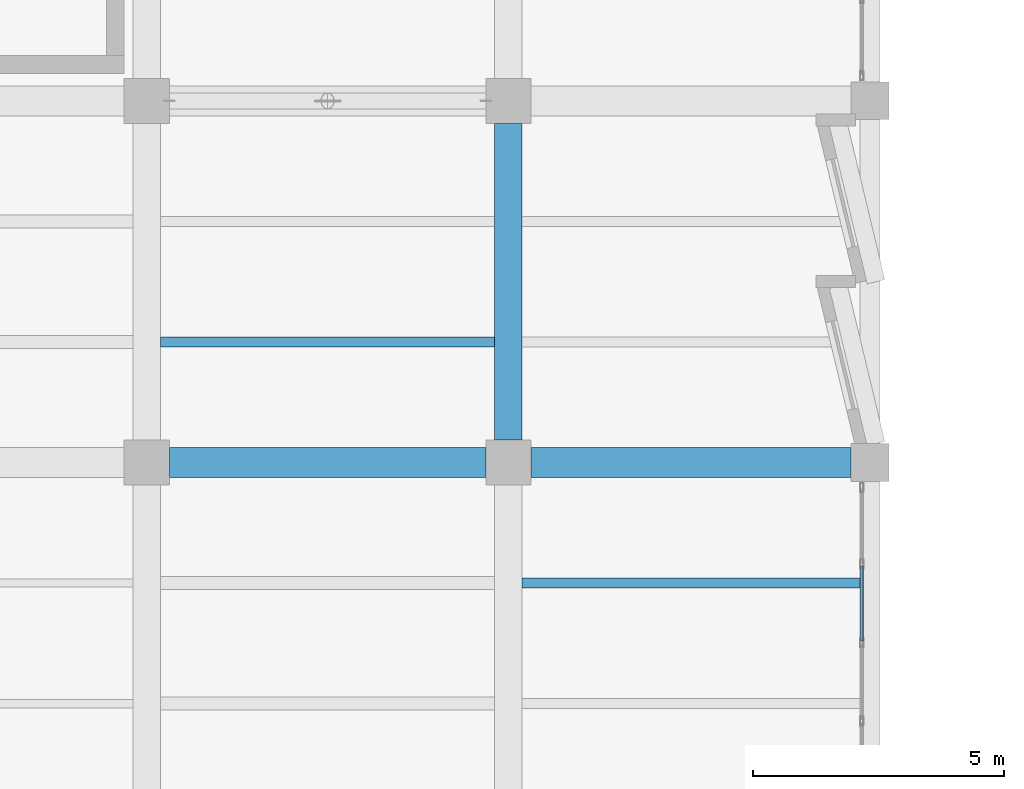
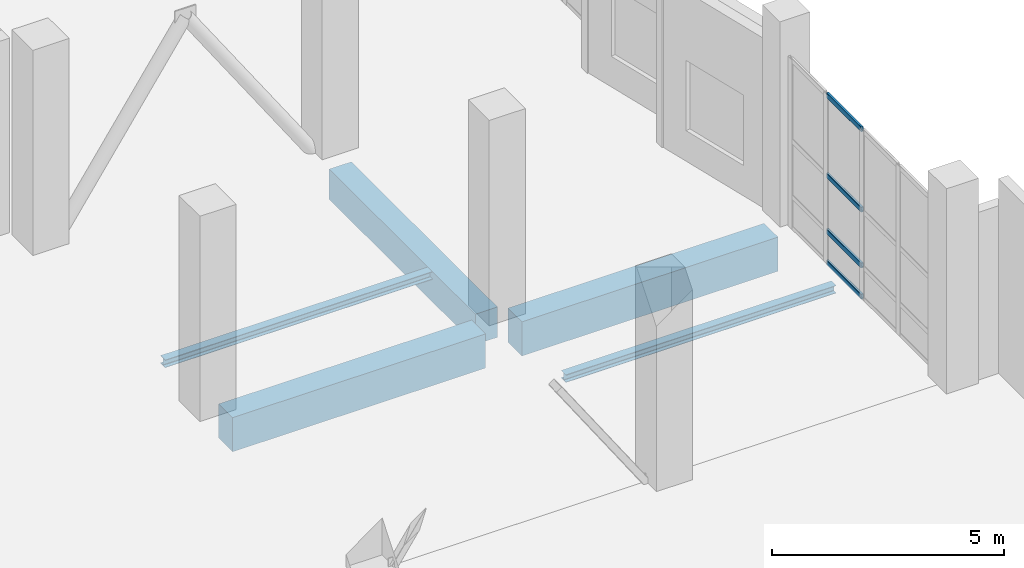
# One storey, part 15 of 137: 5 beams, 4 members, 1 element without a shape of its own.
"""IFC4 building model written with IfcOpenShell, lengths in metres."""

import ifcopenshell
import ifcopenshell.guid

model = None  # the IFC model being written
_history = None  # IfcOwnerHistory: only IFC2X3 demands one
_inside = {}  # id of a spatial element -> (the spatial element, [elements in it])
_under = {}  # id of a project, library or spatial element -> (it, [spatial elements below it])
_declared = {}  # id of a project -> (the project, [libraries it declares])
_typed = {}  # id of a type object -> (the type object, [elements of that type])
_made_of = {}  # id of a material, layer set ... -> (it, [elements and type objects made of it])


def new_model(schema):
    """Start an empty IFC model of exactly this schema.

    Asked for "IFC4X3", IfcOpenShell would pick the latest addendum, in which some entities
    have other attributes; the version numbers below select the first issue.
    IFC2X3 requires an IfcOwnerHistory on every rooted entity: one is made here for all.
    """
    global model, _history
    if schema == "IFC4X3":
        model = ifcopenshell.file(schema_version=(4, 3, 0, 0))
    else:
        model = ifcopenshell.file(schema=schema)
    _inside.clear()
    _under.clear()
    _declared.clear()
    _typed.clear()
    _made_of.clear()
    _history = None
    if model.schema == "IFC2X3":
        org = make("IfcOrganization", Name="unknown")
        user = make(
            "IfcPersonAndOrganization",
            ThePerson=make("IfcPerson", FamilyName="unknown"),
            TheOrganization=org,
        )
        app = make(
            "IfcApplication",
            ApplicationDeveloper=org,
            Version="unknown",
            ApplicationFullName="unknown",
            ApplicationIdentifier="unknown",
        )
        _history = make(
            "IfcOwnerHistory",
            OwningUser=user,
            OwningApplication=app,
            ChangeAction="ADDED",
            CreationDate=0,
        )
    return model


def make(cls, **values):
    """One entity of the class cls with the attributes given. An attribute that is None is left unset."""
    return model.create_entity(
        cls, **{name: value for name, value in values.items() if value is not None}
    )


def rooted(cls, **values):
    """An entity with a GlobalId (a new one), such as an element, a storey or a relation."""
    return make(cls, GlobalId=ifcopenshell.guid.new(), OwnerHistory=_history, **values)


def si_unit(unit_type, name, prefix=None):
    """IfcSIUnit, for example si_unit("LENGTHUNIT", "METRE", prefix="MILLI")."""
    return make("IfcSIUnit", UnitType=unit_type, Prefix=prefix, Name=name)


def assignment(units):
    """IfcUnitAssignment: the units of a project."""
    return None if units is None else make("IfcUnitAssignment", Units=units)


def point(xyz):
    """IfcCartesianPoint."""
    return None if xyz is None else make("IfcCartesianPoint", Coordinates=xyz)


def direction(xyz):
    """IfcDirection."""
    return None if xyz is None else make("IfcDirection", DirectionRatios=xyz)


def frame(location, z_axis=None, x_axis=None):
    """IfcAxis2Placement3D, a coordinate frame: its origin and axes. An axis left out is left unset."""
    return make(
        "IfcAxis2Placement3D",
        Location=point(location),
        Axis=direction(z_axis),
        RefDirection=direction(x_axis),
    )


def frame_2d(location, x_axis=None):
    """IfcAxis2Placement2D, a coordinate frame in the plane: its origin and x axis."""
    return make(
        "IfcAxis2Placement2D", Location=point(location), RefDirection=direction(x_axis)
    )


def origin():
    """The frame at (0, 0, 0) with its axes left unset."""
    return frame((0.0, 0.0, 0.0))


def origin_2d():
    """The frame at (0, 0) in the plane with its x axis left unset."""
    return frame_2d((0.0, 0.0))


def place(relative_to, where):
    """IfcLocalPlacement: puts the frame where relative to a parent placement (None: the world)."""
    return make(
        "IfcLocalPlacement", PlacementRelTo=relative_to, RelativePlacement=where
    )


def context(
    kind, dimensions, precision=None, world=None, true_north=None, identifier=None
):
    """IfcGeometricRepresentationContext, for example the 3D "Model" context."""
    return make(
        "IfcGeometricRepresentationContext",
        ContextIdentifier=identifier,
        ContextType=kind,
        CoordinateSpaceDimension=dimensions,
        Precision=precision,
        WorldCoordinateSystem=world,
        TrueNorth=true_north,
    )


def subcontext(parent, identifier, kind, view, scale=None):
    """IfcGeometricRepresentationSubContext, for example "Body" below "Model"."""
    return make(
        "IfcGeometricRepresentationSubContext",
        ContextIdentifier=identifier,
        ContextType=kind,
        ParentContext=parent,
        TargetScale=scale,
        TargetView=view,
    )


def project(units=None, contexts=None):
    """IfcProject with its units and contexts."""
    return rooted(
        "IfcProject",
        Name="project",
        RepresentationContexts=contexts,
        UnitsInContext=assignment(units),
    )


def spatial(cls, under=None, at=None, **own):
    """A site, building, storey or space (cls), placed at a placement, below another one or the project."""
    s = rooted(cls, ObjectPlacement=at, **own)
    if under is not None:
        _under.setdefault(under.id(), (under, []))[1].append(s)
    return s


def profile(cls, at=None, kind="AREA", **sizes):
    """A parametric profile (cls). Its sizes go by their IFC names, for example OverallWidth=200.0."""
    return make(cls, ProfileType=kind, Position=at, **sizes)


def rectangle(**sizes):
    """IfcRectangleProfileDef."""
    return profile("IfcRectangleProfileDef", **sizes)


def hollow_rectangle(**sizes):
    """IfcRectangleHollowProfileDef."""
    return profile("IfcRectangleHollowProfileDef", **sizes)


def i_section(**sizes):
    """IfcIShapeProfileDef."""
    return profile("IfcIShapeProfileDef", **sizes)


def extrude(swept, where, along, depth):
    """IfcExtrudedAreaSolid: the profile swept, set in the frame where, extruded along a direction by depth."""
    return make(
        "IfcExtrudedAreaSolid",
        SweptArea=swept,
        Position=where,
        ExtrudedDirection=direction(along),
        Depth=depth,
    )


def shape(context_of_items, identifier, shape_type, items):
    """IfcShapeRepresentation: the items that make up one representation, for example the "Body"."""
    return make(
        "IfcShapeRepresentation",
        ContextOfItems=context_of_items,
        RepresentationIdentifier=identifier,
        RepresentationType=shape_type,
        Items=items,
    )


def material(Name=None, Category=None):
    """IfcMaterial."""
    return make("IfcMaterial", Name=Name, Category=Category)


def material_profile(
    of_material, cross_section, Name=None, Category=None, Priority=None
):
    """IfcMaterialProfile: a cross section and its material."""
    return make(
        "IfcMaterialProfile",
        Name=Name,
        Material=of_material,
        Profile=cross_section,
        Priority=Priority,
        Category=Category,
    )


def profile_set(profiles, Name=None, composite=None):
    """IfcMaterialProfileSet."""
    return make(
        "IfcMaterialProfileSet",
        Name=Name,
        MaterialProfiles=profiles,
        CompositeProfile=composite,
    )


def made_of(thing, what):
    """Note that an element or type object is made of a material, layer set ...; save() writes the relation."""
    if what is not None:
        _made_of.setdefault(what.id(), (what, []))[1].append(thing)
    return thing


def type_object(cls, material=None, **own):
    """A type object (cls), such as IfcWallType, which elements share."""
    return made_of(rooted(cls, **own), material)


def element(
    cls,
    number,
    at=None,
    inside=None,
    cuts=None,
    type_object=None,
    material=None,
    context=None,
    identifier="Body",
    shape_type=None,
    held_by="IfcProductDefinitionShape",
    body=None,
    shapes=None,
    **own,
):
    """One element of the class cls, such as IfcWall. Its Tag is "e" and its number.

    at: its placement. inside: the storey or other place that contains it. cuts: it is an
    opening in that element (IfcRelVoidsElement). A single representation is given by context,
    identifier, shape_type and body (its items); several are given by shapes. held_by: the class
    of the entity that holds the representations. save() writes the other relations.
    """
    e = rooted(cls, Tag="e%d" % number, ObjectPlacement=at, **own)
    if body is not None:
        shapes = [shape(context, identifier, shape_type, body)]
    if shapes is not None:
        e.Representation = make(held_by, Representations=shapes)
    if inside is not None:
        _inside.setdefault(inside.id(), (inside, []))[1].append(e)
    if cuts is not None:
        rooted(
            "IfcRelVoidsElement", RelatingBuildingElement=cuts, RelatedOpeningElement=e
        )
    if type_object is not None:
        _typed.setdefault(type_object.id(), (type_object, []))[1].append(e)
    return made_of(e, material)


def aggregate(whole, parts):
    """IfcRelAggregates: a whole, such as a stair, and the parts it consists of."""
    return rooted("IfcRelAggregates", RelatingObject=whole, RelatedObjects=parts)


def save(model, path):
    """Write the relations noted so far, then the file.

    IfcRelAggregates (storeys below a building ...), IfcRelContainedInSpatialStructure (elements
    in a storey), IfcRelDefinesByType, IfcRelAssociatesMaterial and IfcRelDeclares: one each for
    every whole, place, type object, material and project.
    """
    for whole, parts in _under.values():
        aggregate(whole, parts)
    for where, things in _inside.values():
        rooted(
            "IfcRelContainedInSpatialStructure",
            RelatedElements=things,
            RelatingStructure=where,
        )
    for kind, things in _typed.values():
        rooted("IfcRelDefinesByType", RelatedObjects=things, RelatingType=kind)
    for what, things in _made_of.values():
        rooted("IfcRelAssociatesMaterial", RelatedObjects=things, RelatingMaterial=what)
    for by, libraries in _declared.values():
        rooted("IfcRelDeclares", RelatingContext=by, RelatedDefinitions=libraries)
    model.write(path)


model = new_model("IFC4")

# Units and contexts
model_context = context("Model", 3, precision=1e-05, world=origin(), true_north=direction((0.0, 1.0)))
body_context = subcontext(model_context, "Body", "Model", "MODEL_VIEW")
ifc_project = project(units=[si_unit("LENGTHUNIT", "METRE"), si_unit("AREAUNIT", "SQUARE_METRE"), si_unit("VOLUMEUNIT", "CUBIC_METRE"), si_unit("PLANEANGLEUNIT", "RADIAN"), si_unit("MASSUNIT", "GRAM", prefix="KILO")], contexts=[model_context])

# Site, building, storey
site_placement = place(None, origin())
site = spatial("IfcSite", under=ifc_project, at=site_placement, CompositionType="ELEMENT")
building_placement = place(site_placement, origin())
building = spatial("IfcBuilding", under=site, at=building_placement, Name="Kalmorath City Hall", CompositionType="ELEMENT")
storey_placement = place(building_placement, origin())
storey = spatial("IfcBuildingStorey", under=building, at=storey_placement, Name="L00", CompositionType="ELEMENT", Elevation=0.0)

# Beams
ifc_material_1 = material(Name="Concrete C40/50", Category="concrete")
ifc_material_profile_1 = material_profile(ifc_material_1, rectangle(XDim=0.550048828125, YDim=0.800048828125, at=origin_2d()), Name="RC-BM-550X800")
ifc_profile_set_1 = profile_set([ifc_material_profile_1], Name="Concrete C40/50")
beam_type_1 = type_object("IfcBeamType", Name="Concrete floor girder 550x800", PredefinedType="BEAM", material=ifc_profile_set_1)
beam_1_placement = place(storey_placement, frame((21.60009765625, 43.64990234375, -0.7041015625), z_axis=(0.0, 1.0, 0.0), x_axis=(-1.0, 0.0, 0.0)))
element("IfcBeam", 1, at=beam_1_placement, inside=storey, type_object=beam_type_1, Name="L00 girder CB2 Y4/7-8", PredefinedType="BEAM", context=body_context, shape_type="SweptSolid", body=[
    extrude(rectangle(XDim=0.550048828125, YDim=0.800048828125, at=origin_2d()), origin(), (0.0, 0.0, 1.0), 6.300048828125),
])
ifc_material_2 = material(Name="Concrete C40/50", Category="concrete")
ifc_material_profile_2 = material_profile(ifc_material_2, rectangle(XDim=0.60009765625, YDim=0.89990234375, at=origin_2d()), Name="RC-BM-600X900")
ifc_profile_set_2 = profile_set([ifc_material_profile_2], Name="Concrete C40/50")
beam_type_2 = type_object("IfcBeamType", Name="Concrete floor girder 600x900", PredefinedType="BEAM", material=ifc_profile_set_2)
beam_2_placement = place(storey_placement, frame((14.85009765625, 43.199951171875, -0.75390625), z_axis=(1.0, 0.0, 0.0), x_axis=(0.0, 1.0, 0.0)))
element("IfcBeam", 2, at=beam_2_placement, inside=storey, type_object=beam_type_2, Name="L00 girder CB1 X3-4/7", PredefinedType="BEAM", context=body_context, shape_type="SweptSolid", body=[
    extrude(rectangle(XDim=0.60009765625, YDim=0.89990234375, at=origin_2d()), origin(), (0.0, 0.0, 1.0), 6.2998046875),
])
beam_3_placement = place(storey_placement, frame((22.050048828125, 43.199951171875, -0.75390625), z_axis=(1.0, 0.0, 0.0), x_axis=(0.0, 1.0, 0.0)))
element("IfcBeam", 3, at=beam_3_placement, inside=storey, type_object=beam_type_2, Name="L00 girder CB1 X4-5/7", PredefinedType="BEAM", context=body_context, shape_type="SweptSolid", body=[
    extrude(rectangle(XDim=0.60009765625, YDim=0.89990234375, at=origin_2d()), origin(), (0.0, 0.0, 1.0), 6.375),
])

# Curtain wall, members
ifc_material_3 = material(Name="Anodised aluminium and laminated glass", Category="aluminium")
curtain_wall_type = type_object("IfcCurtainWallType", Name="Unitised hurricane curtain wall 6245x4461 M1600", PredefinedType="NOTDEFINED", material=ifc_material_3)
curtain_wall_placement = place(storey_placement, origin())
curtain_wall = element("IfcCurtainWall", 4, at=curtain_wall_placement, inside=storey, type_object=curtain_wall_type, Name="L00 curtain wall CW-62X45M16 #58", PredefinedType="NOTDEFINED")
ifc_material_4 = material(Name="Anodised aluminium framing", Category="aluminium")
ifc_material_profile_3 = material_profile(ifc_material_4, hollow_rectangle(XDim=0.06005859375, YDim=0.1298828125, WallThickness=0.00341796875, InnerFilletRadius=0.00341796875, OuterFilletRadius=0.007080078125, at=origin_2d()), Name="ALU-TRN-130X60X3.5")
ifc_profile_set_3 = profile_set([ifc_material_profile_3], Name="Anodised aluminium framing")
member_type = type_object("IfcMemberType", Name="Curtain-wall courtyard transom 130x60", PredefinedType="USERDEFINED", material=ifc_profile_set_3)
member_1_placement = place(storey_placement, frame((28.639892578125, 41.141357421875, 0.030029296875), z_axis=(0.0, -1.0, 0.0), x_axis=(1.0, 0.0, 0.0)))
member_1 = element("IfcMember", 5, at=member_1_placement, type_object=member_type, Name="CW-62X45M16 transom 2.1", ObjectType="TRANSOM", PredefinedType="USERDEFINED", context=body_context, shape_type="SweptSolid", body=[
    extrude(hollow_rectangle(XDim=0.06005859375, YDim=0.1298828125, WallThickness=0.00341796875, InnerFilletRadius=0.00341796875, OuterFilletRadius=0.007080078125, at=origin_2d()), origin(), (0.0, 0.0, 1.0), 1.496337890625),
])
member_2_placement = place(storey_placement, frame((28.639892578125, 41.141357421875, 0.85009765625), z_axis=(0.0, -1.0, 0.0), x_axis=(1.0, 0.0, 0.0)))
member_2 = element("IfcMember", 6, at=member_2_placement, type_object=member_type, Name="CW-62X45M16 transom 2.2", ObjectType="TRANSOM", PredefinedType="USERDEFINED", context=body_context, shape_type="SweptSolid", body=[
    extrude(hollow_rectangle(XDim=0.06005859375, YDim=0.1298828125, WallThickness=0.00341796875, InnerFilletRadius=0.00341796875, OuterFilletRadius=0.007080078125, at=origin_2d()), origin(), (0.0, 0.0, 1.0), 1.496337890625),
])
member_3_placement = place(storey_placement, frame((28.639892578125, 41.141357421875, 2.320068359375), z_axis=(0.0, -1.0, 0.0), x_axis=(1.0, 0.0, 0.0)))
member_3 = element("IfcMember", 7, at=member_3_placement, type_object=member_type, Name="CW-62X45M16 transom 2.3", ObjectType="TRANSOM", PredefinedType="USERDEFINED", context=body_context, shape_type="SweptSolid", body=[
    extrude(hollow_rectangle(XDim=0.06005859375, YDim=0.1298828125, WallThickness=0.00341796875, InnerFilletRadius=0.00341796875, OuterFilletRadius=0.007080078125, at=origin_2d()), origin(), (0.0, 0.0, 1.0), 1.496337890625),
])
member_4_placement = place(storey_placement, frame((28.639892578125, 41.141357421875, 4.430908203125), z_axis=(0.0, -1.0, 0.0), x_axis=(1.0, 0.0, 0.0)))
member_4 = element("IfcMember", 8, at=member_4_placement, type_object=member_type, Name="CW-62X45M16 transom 2.4", ObjectType="TRANSOM", PredefinedType="USERDEFINED", context=body_context, shape_type="SweptSolid", body=[
    extrude(hollow_rectangle(XDim=0.06005859375, YDim=0.1298828125, WallThickness=0.00341796875, InnerFilletRadius=0.00341796875, OuterFilletRadius=0.007080078125, at=origin_2d()), origin(), (0.0, 0.0, 1.0), 1.496337890625),
])
aggregate(curtain_wall, [member_1, member_2, member_3, member_4])

# Beams
ifc_material_5 = material(Name="Steel ASTM A992 Grade 50", Category="steel")
ifc_material_profile_4 = material_profile(ifc_material_5, i_section(OverallWidth=0.202880859375, OverallDepth=0.202880859375, WebThickness=0.007080078125, FlangeThickness=0.010986328125, FilletRadius=0.010986328125, at=origin_2d()), Name="W8X31")
ifc_profile_set_4 = profile_set([ifc_material_profile_4], Name="Steel ASTM A992 Grade 50")
beam_type_3 = type_object("IfcBeamType", Name="Steel edge trimmer W8X31", PredefinedType="LINTEL", material=ifc_profile_set_4)
beam_4_placement = place(storey_placement, frame((14.675048828125, 45.60009765625, -0.405517578125), z_axis=(1.0, 0.0, 0.0), x_axis=(0.0, 1.0, 0.0)))
element("IfcBeam", 9, at=beam_4_placement, inside=storey, type_object=beam_type_3, Name="L00 joist SJ16 3.7.1", PredefinedType="LINTEL", context=body_context, shape_type="SweptSolid", body=[
    extrude(i_section(OverallWidth=0.202880859375, OverallDepth=0.202880859375, WebThickness=0.007080078125, FlangeThickness=0.010986328125, FilletRadius=0.010986328125, at=origin_2d()), origin(), (0.0, 0.0, 1.0), 6.64990234375),
])
beam_5_placement = place(storey_placement, frame((21.875, 40.800048828125, -0.405517578125), z_axis=(1.0, 0.0, 0.0), x_axis=(0.0, 1.0, 0.0)))
element("IfcBeam", 10, at=beam_5_placement, inside=storey, type_object=beam_type_3, Name="L00 joist SJ16 4.6.2", PredefinedType="LINTEL", context=body_context, shape_type="SweptSolid", body=[
    extrude(i_section(OverallWidth=0.202880859375, OverallDepth=0.202880859375, WebThickness=0.007080078125, FlangeThickness=0.010986328125, FilletRadius=0.010986328125, at=origin_2d()), origin(), (0.0, 0.0, 1.0), 6.72509765625),
])

save(model, "model.ifc")
